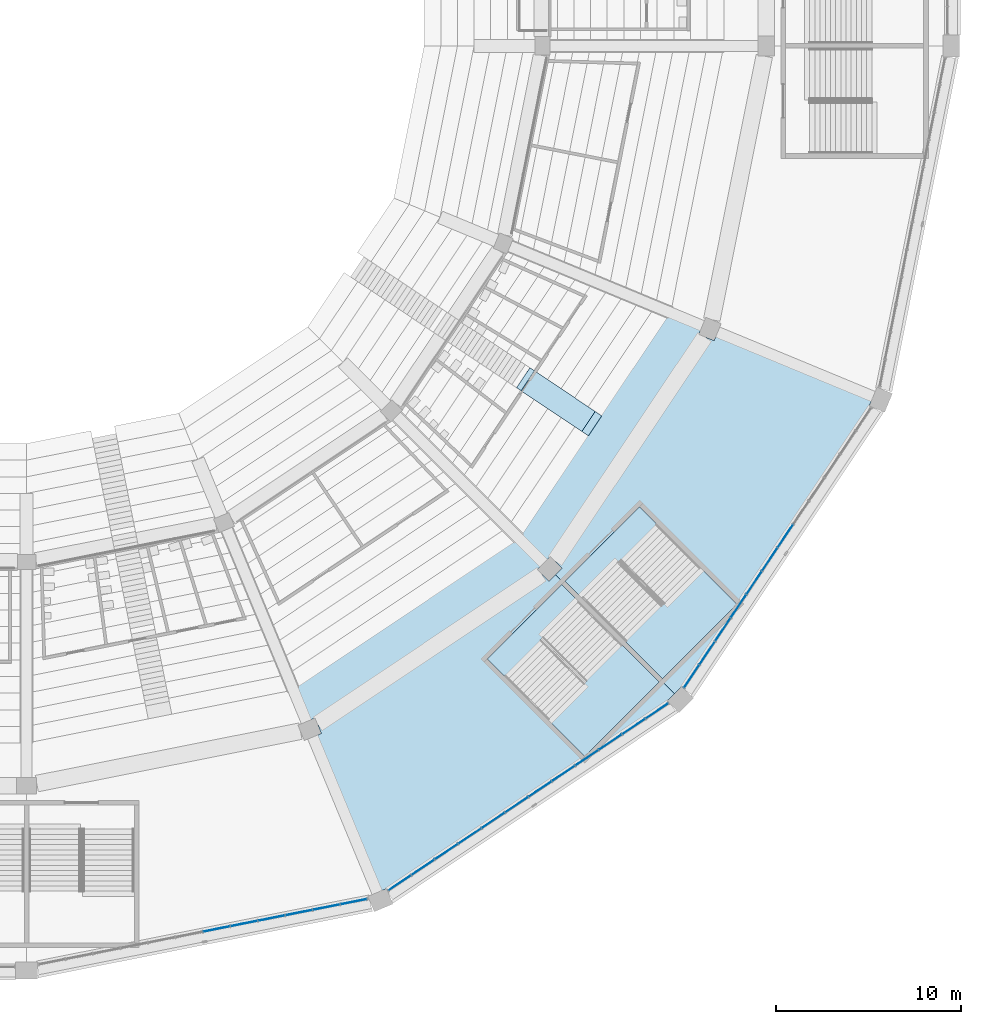
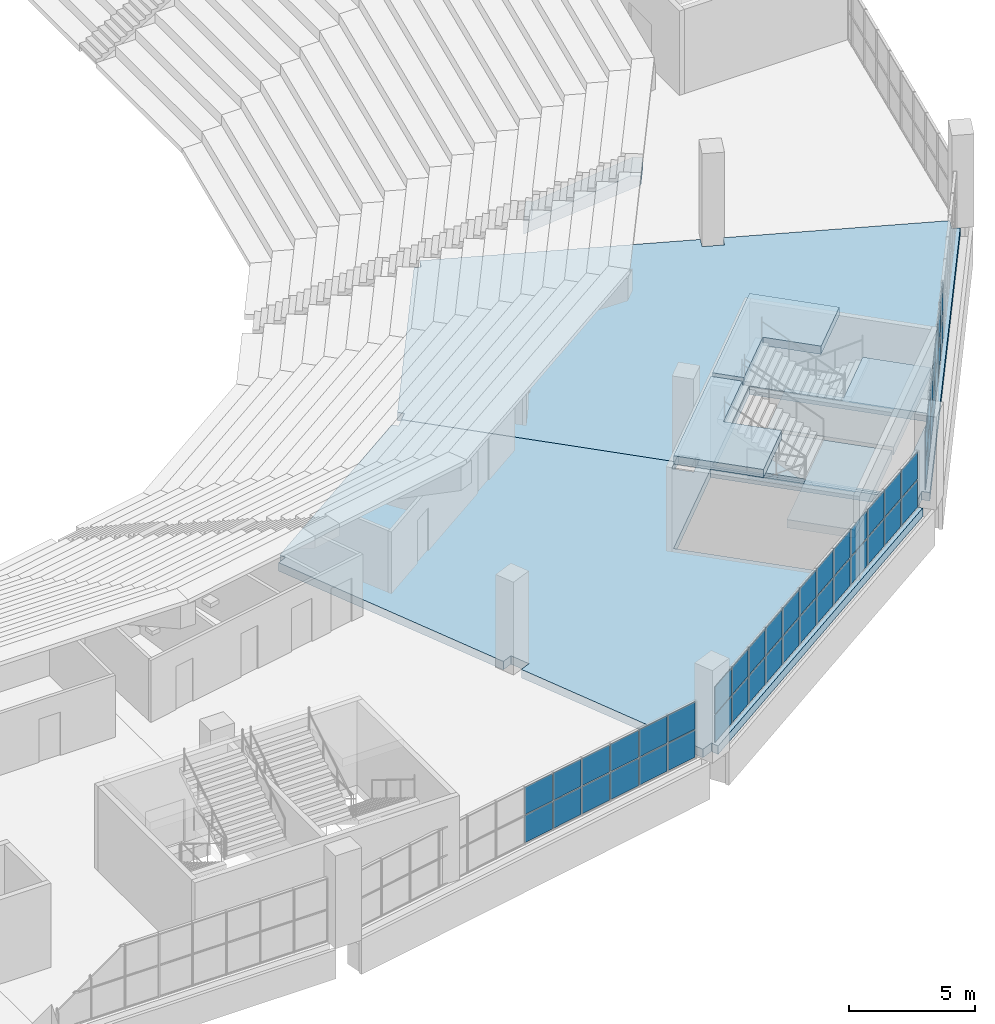
# One storey, part 70 of 249: 50 plates, 7 slabs, 5 elements without a shape of their own.
"""IFC4 building model written with IfcOpenShell, lengths in metres."""

import ifcopenshell
import ifcopenshell.guid

model = None  # the IFC model being written
_history = None  # IfcOwnerHistory: only IFC2X3 demands one
_inside = {}  # id of a spatial element -> (the spatial element, [elements in it])
_under = {}  # id of a project, library or spatial element -> (it, [spatial elements below it])
_declared = {}  # id of a project -> (the project, [libraries it declares])
_typed = {}  # id of a type object -> (the type object, [elements of that type])
_made_of = {}  # id of a material, layer set ... -> (it, [elements and type objects made of it])


def new_model(schema):
    """Start an empty IFC model of exactly this schema.

    Asked for "IFC4X3", IfcOpenShell would pick the latest addendum, in which some entities
    have other attributes; the version numbers below select the first issue.
    IFC2X3 requires an IfcOwnerHistory on every rooted entity: one is made here for all.
    """
    global model, _history
    if schema == "IFC4X3":
        model = ifcopenshell.file(schema_version=(4, 3, 0, 0))
    else:
        model = ifcopenshell.file(schema=schema)
    _inside.clear()
    _under.clear()
    _declared.clear()
    _typed.clear()
    _made_of.clear()
    _history = None
    if model.schema == "IFC2X3":
        org = make("IfcOrganization", Name="unknown")
        user = make(
            "IfcPersonAndOrganization",
            ThePerson=make("IfcPerson", FamilyName="unknown"),
            TheOrganization=org,
        )
        app = make(
            "IfcApplication",
            ApplicationDeveloper=org,
            Version="unknown",
            ApplicationFullName="unknown",
            ApplicationIdentifier="unknown",
        )
        _history = make(
            "IfcOwnerHistory",
            OwningUser=user,
            OwningApplication=app,
            ChangeAction="ADDED",
            CreationDate=0,
        )
    return model


def make(cls, **values):
    """One entity of the class cls with the attributes given. An attribute that is None is left unset."""
    return model.create_entity(
        cls, **{name: value for name, value in values.items() if value is not None}
    )


def rooted(cls, **values):
    """An entity with a GlobalId (a new one), such as an element, a storey or a relation."""
    return make(cls, GlobalId=ifcopenshell.guid.new(), OwnerHistory=_history, **values)


def si_unit(unit_type, name, prefix=None):
    """IfcSIUnit, for example si_unit("LENGTHUNIT", "METRE", prefix="MILLI")."""
    return make("IfcSIUnit", UnitType=unit_type, Prefix=prefix, Name=name)


def assignment(units):
    """IfcUnitAssignment: the units of a project."""
    return None if units is None else make("IfcUnitAssignment", Units=units)


def point(xyz):
    """IfcCartesianPoint."""
    return None if xyz is None else make("IfcCartesianPoint", Coordinates=xyz)


def direction(xyz):
    """IfcDirection."""
    return None if xyz is None else make("IfcDirection", DirectionRatios=xyz)


def frame(location, z_axis=None, x_axis=None):
    """IfcAxis2Placement3D, a coordinate frame: its origin and axes. An axis left out is left unset."""
    return make(
        "IfcAxis2Placement3D",
        Location=point(location),
        Axis=direction(z_axis),
        RefDirection=direction(x_axis),
    )


def frame_2d(location, x_axis=None):
    """IfcAxis2Placement2D, a coordinate frame in the plane: its origin and x axis."""
    return make(
        "IfcAxis2Placement2D", Location=point(location), RefDirection=direction(x_axis)
    )


def origin():
    """The frame at (0, 0, 0) with its axes left unset."""
    return frame((0.0, 0.0, 0.0))


def origin_2d():
    """The frame at (0, 0) in the plane with its x axis left unset."""
    return frame_2d((0.0, 0.0))


def place(relative_to, where):
    """IfcLocalPlacement: puts the frame where relative to a parent placement (None: the world)."""
    return make(
        "IfcLocalPlacement", PlacementRelTo=relative_to, RelativePlacement=where
    )


def context(
    kind, dimensions, precision=None, world=None, true_north=None, identifier=None
):
    """IfcGeometricRepresentationContext, for example the 3D "Model" context."""
    return make(
        "IfcGeometricRepresentationContext",
        ContextIdentifier=identifier,
        ContextType=kind,
        CoordinateSpaceDimension=dimensions,
        Precision=precision,
        WorldCoordinateSystem=world,
        TrueNorth=true_north,
    )


def subcontext(parent, identifier, kind, view, scale=None):
    """IfcGeometricRepresentationSubContext, for example "Body" below "Model"."""
    return make(
        "IfcGeometricRepresentationSubContext",
        ContextIdentifier=identifier,
        ContextType=kind,
        ParentContext=parent,
        TargetScale=scale,
        TargetView=view,
    )


def project(units=None, contexts=None):
    """IfcProject with its units and contexts."""
    return rooted(
        "IfcProject",
        Name="project",
        RepresentationContexts=contexts,
        UnitsInContext=assignment(units),
    )


def spatial(cls, under=None, at=None, **own):
    """A site, building, storey or space (cls), placed at a placement, below another one or the project."""
    s = rooted(cls, ObjectPlacement=at, **own)
    if under is not None:
        _under.setdefault(under.id(), (under, []))[1].append(s)
    return s


def polyline(points):
    """IfcPolyline through the points."""
    return make("IfcPolyline", Points=[point(p) for p in points])


def profile(cls, at=None, kind="AREA", **sizes):
    """A parametric profile (cls). Its sizes go by their IFC names, for example OverallWidth=200.0."""
    return make(cls, ProfileType=kind, Position=at, **sizes)


def rectangle(**sizes):
    """IfcRectangleProfileDef."""
    return profile("IfcRectangleProfileDef", **sizes)


def outline(outer, holes=None, kind="AREA"):
    """IfcArbitraryClosedProfileDef: a profile drawn as a closed curve; with holes, ...WithVoids."""
    if holes is None:
        return make("IfcArbitraryClosedProfileDef", ProfileType=kind, OuterCurve=outer)
    return make(
        "IfcArbitraryProfileDefWithVoids",
        ProfileType=kind,
        OuterCurve=outer,
        InnerCurves=holes,
    )


def extrude(swept, where, along, depth):
    """IfcExtrudedAreaSolid: the profile swept, set in the frame where, extruded along a direction by depth."""
    return make(
        "IfcExtrudedAreaSolid",
        SweptArea=swept,
        Position=where,
        ExtrudedDirection=direction(along),
        Depth=depth,
    )


def shape(context_of_items, identifier, shape_type, items):
    """IfcShapeRepresentation: the items that make up one representation, for example the "Body"."""
    return make(
        "IfcShapeRepresentation",
        ContextOfItems=context_of_items,
        RepresentationIdentifier=identifier,
        RepresentationType=shape_type,
        Items=items,
    )


def material(Name=None, Category=None):
    """IfcMaterial."""
    return make("IfcMaterial", Name=Name, Category=Category)


def layer(
    of_material, thickness, ventilated=None, Name=None, Category=None, Priority=None
):
    """IfcMaterialLayer: one layer of a wall or slab, of a material (None: an air gap)."""
    return make(
        "IfcMaterialLayer",
        Material=of_material,
        LayerThickness=thickness,
        IsVentilated=ventilated,
        Name=Name,
        Category=Category,
        Priority=Priority,
    )


def layer_set(layers, Name=None):
    """IfcMaterialLayerSet."""
    return make("IfcMaterialLayerSet", MaterialLayers=layers, LayerSetName=Name)


def made_of(thing, what):
    """Note that an element or type object is made of a material, layer set ...; save() writes the relation."""
    if what is not None:
        _made_of.setdefault(what.id(), (what, []))[1].append(thing)
    return thing


def type_object(cls, material=None, **own):
    """A type object (cls), such as IfcWallType, which elements share."""
    return made_of(rooted(cls, **own), material)


def element(
    cls,
    number,
    at=None,
    inside=None,
    cuts=None,
    type_object=None,
    material=None,
    context=None,
    identifier="Body",
    shape_type=None,
    held_by="IfcProductDefinitionShape",
    body=None,
    shapes=None,
    **own,
):
    """One element of the class cls, such as IfcWall. Its Tag is "e" and its number.

    at: its placement. inside: the storey or other place that contains it. cuts: it is an
    opening in that element (IfcRelVoidsElement). A single representation is given by context,
    identifier, shape_type and body (its items); several are given by shapes. held_by: the class
    of the entity that holds the representations. save() writes the other relations.
    """
    e = rooted(cls, Tag="e%d" % number, ObjectPlacement=at, **own)
    if body is not None:
        shapes = [shape(context, identifier, shape_type, body)]
    if shapes is not None:
        e.Representation = make(held_by, Representations=shapes)
    if inside is not None:
        _inside.setdefault(inside.id(), (inside, []))[1].append(e)
    if cuts is not None:
        rooted(
            "IfcRelVoidsElement", RelatingBuildingElement=cuts, RelatedOpeningElement=e
        )
    if type_object is not None:
        _typed.setdefault(type_object.id(), (type_object, []))[1].append(e)
    return made_of(e, material)


def aggregate(whole, parts):
    """IfcRelAggregates: a whole, such as a stair, and the parts it consists of."""
    return rooted("IfcRelAggregates", RelatingObject=whole, RelatedObjects=parts)


def save(model, path):
    """Write the relations noted so far, then the file.

    IfcRelAggregates (storeys below a building ...), IfcRelContainedInSpatialStructure (elements
    in a storey), IfcRelDefinesByType, IfcRelAssociatesMaterial and IfcRelDeclares: one each for
    every whole, place, type object, material and project.
    """
    for whole, parts in _under.values():
        aggregate(whole, parts)
    for where, things in _inside.values():
        rooted(
            "IfcRelContainedInSpatialStructure",
            RelatedElements=things,
            RelatingStructure=where,
        )
    for kind, things in _typed.values():
        rooted("IfcRelDefinesByType", RelatedObjects=things, RelatingType=kind)
    for what, things in _made_of.values():
        rooted("IfcRelAssociatesMaterial", RelatedObjects=things, RelatingMaterial=what)
    for by, libraries in _declared.values():
        rooted("IfcRelDeclares", RelatingContext=by, RelatedDefinitions=libraries)
    model.write(path)


model = new_model("IFC4")

# Units and contexts
model_context = context("Model", 3, precision=1e-05, world=origin(), true_north=direction((0.0, 1.0)))
body_context = subcontext(model_context, "Body", "Model", "MODEL_VIEW")
ifc_project = project(units=[si_unit("LENGTHUNIT", "METRE"), si_unit("AREAUNIT", "SQUARE_METRE"), si_unit("VOLUMEUNIT", "CUBIC_METRE"), si_unit("PLANEANGLEUNIT", "RADIAN"), si_unit("MASSUNIT", "GRAM", prefix="KILO")], contexts=[model_context])

# Site, building, storey
site_placement = place(None, origin())
site = spatial("IfcSite", under=ifc_project, at=site_placement, CompositionType="ELEMENT")
building_placement = place(site_placement, origin())
building = spatial("IfcBuilding", under=site, at=building_placement, Name="Ogive Plaza Stadium", CompositionType="ELEMENT")
storey_placement = place(building_placement, frame((0.0, 0.0, 13.5)))
storey = spatial("IfcBuildingStorey", under=building, at=storey_placement, Name="L03", CompositionType="ELEMENT", Elevation=13.5)

# Slab
ifc_material_1 = material(Name="Concrete C40/50", Category="concrete")
ifc_layer_1 = layer(ifc_material_1, 0.81640625)
ifc_layer_set_1 = layer_set([ifc_layer_1], Name="Concrete C40/50")
ifc_layer_2 = layer(ifc_material_1, 0.449951171875)
ifc_layer_set_2 = layer_set([ifc_layer_2], Name="Concrete C40/50")
slab_type_1 = type_object("IfcSlabType", Name="Aisle stair slab 1300", PredefinedType="USERDEFINED", material=ifc_layer_set_2)
slab_1_placement = place(storey_placement, frame((60.8564453125, -70.44482421875, -13.5), z_axis=(0.0, 0.0, 1.0), x_axis=(0.831469612303, -0.55557023302, 0.0)))
element("IfcSlab", 1, at=slab_1_placement, inside=storey, type_object=slab_type_1, material=ifc_layer_set_1, Name="Aisle stair SA09U slab 3", ObjectType="AISLE STAIR SLAB", PredefinedType="USERDEFINED", context=body_context, shape_type="SweptSolid", body=[
    extrude(outline(polyline([(0.0, 20.0), (0.2958984375, 20.0), (4.25, 22.325927734375), (4.675537109375, 22.325927734375), (4.675537109375, 21.897705078125), (4.64990234375, 21.88330078125), (4.5, 21.800048828125), (4.35009765625, 21.716796875), (4.199951171875, 21.63330078125), (4.050048828125, 21.550048828125), (3.89990234375, 21.466796875), (3.75, 21.38330078125), (3.60009765625, 21.300048828125), (3.449951171875, 21.216796875), (3.300048828125, 21.13330078125), (3.14990234375, 21.050048828125), (3.0, 20.966796875), (2.85009765625, 20.88330078125), (2.699951171875, 20.800048828125), (2.550048828125, 20.716796875), (2.39990234375, 20.63330078125), (2.25, 20.550048828125), (2.10009765625, 20.466796875), (1.949951171875, 20.38330078125), (1.800048828125, 20.300048828125), (1.64990234375, 20.216796875), (1.5, 20.13330078125), (1.35009765625, 20.050048828125), (1.199951171875, 19.966796875), (1.050048828125, 19.88330078125), (0.89990234375, 19.800048828125), (0.75, 19.716796875), (0.60009765625, 19.63330078125), (0.449951171875, 19.550048828125), (0.300048828125, 19.466796875), (0.14990234375, 19.38330078125), (0.0, 19.300048828125), (0.0, 20.0)])), frame((0.0, 0.64990234375, 0.0), z_axis=(0.0, -1.0, 0.0), x_axis=(1.0, 0.0, 0.0)), (0.0, 0.0, 1.0), 1.300048828125),
])

# Curtain wall, plates
ifc_material_2 = material(Name="Bronze-anodised aluminium with laminated glass", Category="aluminium")
curtain_wall_type = type_object("IfcCurtainWallType", Name="Lancet curtain wall", PredefinedType="NOTDEFINED", material=ifc_material_2)
curtain_wall_1_placement = place(storey_placement, origin())
curtain_wall_1 = element("IfcCurtainWall", 2, at=curtain_wall_1_placement, inside=storey, type_object=curtain_wall_type, Name="CURTAIN WALL B09 L03", PredefinedType="NOTDEFINED")
ifc_material_3 = material(Name="Laminated glass", Category="glass")
ifc_layer_3 = layer(ifc_material_3, 0.028076171875)
ifc_layer_set_3 = layer_set([ifc_layer_3], Name="Laminated glass panel 28")
plate_type = type_object("IfcPlateType", Name="Laminated glass panel 28", PredefinedType="CURTAIN_PANEL", material=ifc_layer_set_3)
plate_1_placement = place(storey_placement, frame((75.03125, -79.000732421875, 0.0498046875), z_axis=(0.0, 0.0, 1.0), x_axis=(-0.55557023302, -0.831469612303, 0.0)))
plate_1 = element("IfcPlate", 3, at=plate_1_placement, type_object=plate_type, Name="CW-B09-L03 panel 6.1", PredefinedType="CURTAIN_PANEL", context=body_context, shape_type="SweptSolid", body=[
    extrude(rectangle(XDim=1.472412109375, YDim=0.028076171875, at=origin_2d()), origin(), (0.0, 0.0, 1.0), 1.320068359375),
])
plate_2_placement = place(storey_placement, frame((75.03125, -79.000732421875, 1.419921875), z_axis=(0.0, 0.0, 1.0), x_axis=(-0.55557023302, -0.831469612303, 0.0)))
plate_2 = element("IfcPlate", 4, at=plate_2_placement, type_object=plate_type, Name="CW-B09-L03 panel 6.2", PredefinedType="CURTAIN_PANEL", context=body_context, shape_type="SweptSolid", body=[
    extrude(rectangle(XDim=1.472412109375, YDim=0.028076171875, at=origin_2d()), origin(), (0.0, 0.0, 1.0), 1.320068359375),
])
plate_3_placement = place(storey_placement, frame((74.185546875, -80.2666015625, 0.0498046875), z_axis=(0.0, 0.0, 1.0), x_axis=(-0.55557023302, -0.831469612303, 0.0)))
plate_3 = element("IfcPlate", 5, at=plate_3_placement, type_object=plate_type, Name="CW-B09-L03 panel 7.1", PredefinedType="CURTAIN_PANEL", context=body_context, shape_type="SweptSolid", body=[
    extrude(rectangle(XDim=1.472412109375, YDim=0.028076171875, at=origin_2d()), origin(), (0.0, 0.0, 1.0), 1.320068359375),
])
plate_4_placement = place(storey_placement, frame((74.185546875, -80.2666015625, 1.419921875), z_axis=(0.0, 0.0, 1.0), x_axis=(-0.55557023302, -0.831469612303, 0.0)))
plate_4 = element("IfcPlate", 6, at=plate_4_placement, type_object=plate_type, Name="CW-B09-L03 panel 7.2", PredefinedType="CURTAIN_PANEL", context=body_context, shape_type="SweptSolid", body=[
    extrude(rectangle(XDim=1.472412109375, YDim=0.028076171875, at=origin_2d()), origin(), (0.0, 0.0, 1.0), 1.320068359375),
])
plate_5_placement = place(storey_placement, frame((73.339599609375, -81.5322265625, 0.0498046875), z_axis=(0.0, 0.0, 1.0), x_axis=(-0.55557023302, -0.831469612303, 0.0)))
plate_5 = element("IfcPlate", 7, at=plate_5_placement, type_object=plate_type, Name="CW-B09-L03 panel 8.1", PredefinedType="CURTAIN_PANEL", context=body_context, shape_type="SweptSolid", body=[
    extrude(rectangle(XDim=1.472412109375, YDim=0.028076171875, at=origin_2d()), origin(), (0.0, 0.0, 1.0), 1.320068359375),
])
plate_6_placement = place(storey_placement, frame((73.339599609375, -81.5322265625, 1.419921875), z_axis=(0.0, 0.0, 1.0), x_axis=(-0.55557023302, -0.831469612303, 0.0)))
plate_6 = element("IfcPlate", 8, at=plate_6_placement, type_object=plate_type, Name="CW-B09-L03 panel 8.2", PredefinedType="CURTAIN_PANEL", context=body_context, shape_type="SweptSolid", body=[
    extrude(rectangle(XDim=1.472412109375, YDim=0.028076171875, at=origin_2d()), origin(), (0.0, 0.0, 1.0), 1.320068359375),
])
plate_7_placement = place(storey_placement, frame((72.493896484375, -82.798095703125, 0.0498046875), z_axis=(0.0, 0.0, 1.0), x_axis=(-0.55557023302, -0.831469612303, 0.0)))
plate_7 = element("IfcPlate", 9, at=plate_7_placement, type_object=plate_type, Name="CW-B09-L03 panel 9.1", PredefinedType="CURTAIN_PANEL", context=body_context, shape_type="SweptSolid", body=[
    extrude(rectangle(XDim=1.472412109375, YDim=0.028076171875, at=origin_2d()), origin(), (0.0, 0.0, 1.0), 1.320068359375),
])
plate_8_placement = place(storey_placement, frame((72.493896484375, -82.798095703125, 1.419921875), z_axis=(0.0, 0.0, 1.0), x_axis=(-0.55557023302, -0.831469612303, 0.0)))
plate_8 = element("IfcPlate", 10, at=plate_8_placement, type_object=plate_type, Name="CW-B09-L03 panel 9.2", PredefinedType="CURTAIN_PANEL", context=body_context, shape_type="SweptSolid", body=[
    extrude(rectangle(XDim=1.472412109375, YDim=0.028076171875, at=origin_2d()), origin(), (0.0, 0.0, 1.0), 1.320068359375),
])
plate_9_placement = place(storey_placement, frame((71.648193359375, -84.06396484375, 0.0498046875), z_axis=(0.0, 0.0, 1.0), x_axis=(-0.55557023302, -0.831469612303, 0.0)))
plate_9 = element("IfcPlate", 11, at=plate_9_placement, type_object=plate_type, Name="CW-B09-L03 panel 10.1", PredefinedType="CURTAIN_PANEL", context=body_context, shape_type="SweptSolid", body=[
    extrude(rectangle(XDim=1.472412109375, YDim=0.028076171875, at=origin_2d()), origin(), (0.0, 0.0, 1.0), 1.320068359375),
])
plate_10_placement = place(storey_placement, frame((71.648193359375, -84.06396484375, 1.419921875), z_axis=(0.0, 0.0, 1.0), x_axis=(-0.55557023302, -0.831469612303, 0.0)))
plate_10 = element("IfcPlate", 12, at=plate_10_placement, type_object=plate_type, Name="CW-B09-L03 panel 10.2", PredefinedType="CURTAIN_PANEL", context=body_context, shape_type="SweptSolid", body=[
    extrude(rectangle(XDim=1.472412109375, YDim=0.028076171875, at=origin_2d()), origin(), (0.0, 0.0, 1.0), 1.320068359375),
])
plate_11_placement = place(storey_placement, frame((70.802490234375, -85.32958984375, 0.0498046875), z_axis=(0.0, 0.0, 1.0), x_axis=(-0.55557023302, -0.831469612303, 0.0)))
plate_11 = element("IfcPlate", 13, at=plate_11_placement, type_object=plate_type, Name="CW-B09-L03 panel 11.1", PredefinedType="CURTAIN_PANEL", context=body_context, shape_type="SweptSolid", body=[
    extrude(rectangle(XDim=1.472412109375, YDim=0.028076171875, at=origin_2d()), origin(), (0.0, 0.0, 1.0), 1.320068359375),
])
plate_12_placement = place(storey_placement, frame((70.802490234375, -85.32958984375, 1.419921875), z_axis=(0.0, 0.0, 1.0), x_axis=(-0.55557023302, -0.831469612303, 0.0)))
plate_12 = element("IfcPlate", 14, at=plate_12_placement, type_object=plate_type, Name="CW-B09-L03 panel 11.2", PredefinedType="CURTAIN_PANEL", context=body_context, shape_type="SweptSolid", body=[
    extrude(rectangle(XDim=1.472412109375, YDim=0.028076171875, at=origin_2d()), origin(), (0.0, 0.0, 1.0), 1.320068359375),
])
plate_13_placement = place(storey_placement, frame((69.963623046875, -86.5849609375, 0.0498046875), z_axis=(0.0, 0.0, 1.0), x_axis=(-0.55557023302, -0.831469612303, 0.0)))
plate_13 = element("IfcPlate", 15, at=plate_13_placement, type_object=plate_type, Name="CW-B09-L03 panel 12.1", PredefinedType="CURTAIN_PANEL", context=body_context, shape_type="SweptSolid", body=[
    extrude(rectangle(XDim=1.447265625, YDim=0.028076171875, at=origin_2d()), origin(), (0.0, 0.0, 1.0), 1.320068359375),
])
plate_14_placement = place(storey_placement, frame((69.963623046875, -86.5849609375, 1.419921875), z_axis=(0.0, 0.0, 1.0), x_axis=(-0.55557023302, -0.831469612303, 0.0)))
plate_14 = element("IfcPlate", 16, at=plate_14_placement, type_object=plate_type, Name="CW-B09-L03 panel 12.2", PredefinedType="CURTAIN_PANEL", context=body_context, shape_type="SweptSolid", body=[
    extrude(rectangle(XDim=1.447265625, YDim=0.028076171875, at=origin_2d()), origin(), (0.0, 0.0, 1.0), 1.320068359375),
])
aggregate(curtain_wall_1, [plate_1, plate_2, plate_3, plate_4, plate_5, plate_6, plate_7, plate_8, plate_9, plate_10, plate_11, plate_12, plate_13, plate_14])

curtain_wall_2_placement = place(storey_placement, origin())
curtain_wall_2 = element("IfcCurtainWall", 17, at=curtain_wall_2_placement, inside=storey, type_object=curtain_wall_type, Name="CURTAIN WALL B10 L03", PredefinedType="NOTDEFINED")
plate_15_placement = place(storey_placement, frame((68.0849609375, -88.463623046875, 0.0498046875), z_axis=(0.0, 0.0, 1.0), x_axis=(-0.831469612303, -0.55557023302, 0.0)))
plate_15 = element("IfcPlate", 18, at=plate_15_placement, type_object=plate_type, Name="CW-B10-L03 panel 1.1", PredefinedType="CURTAIN_PANEL", context=body_context, shape_type="SweptSolid", body=[
    extrude(rectangle(XDim=1.447265625, YDim=0.028076171875, at=origin_2d()), origin(), (0.0, 0.0, 1.0), 1.320068359375),
])
plate_16_placement = place(storey_placement, frame((68.0849609375, -88.463623046875, 1.419921875), z_axis=(0.0, 0.0, 1.0), x_axis=(-0.831469612303, -0.55557023302, 0.0)))
plate_16 = element("IfcPlate", 19, at=plate_16_placement, type_object=plate_type, Name="CW-B10-L03 panel 1.2", PredefinedType="CURTAIN_PANEL", context=body_context, shape_type="SweptSolid", body=[
    extrude(rectangle(XDim=1.447265625, YDim=0.028076171875, at=origin_2d()), origin(), (0.0, 0.0, 1.0), 1.320068359375),
])
plate_17_placement = place(storey_placement, frame((66.82958984375, -89.302490234375, 0.0498046875), z_axis=(0.0, 0.0, 1.0), x_axis=(-0.831469612303, -0.55557023302, 0.0)))
plate_17 = element("IfcPlate", 20, at=plate_17_placement, type_object=plate_type, Name="CW-B10-L03 panel 2.1", PredefinedType="CURTAIN_PANEL", context=body_context, shape_type="SweptSolid", body=[
    extrude(rectangle(XDim=1.472412109375, YDim=0.028076171875, at=origin_2d()), origin(), (0.0, 0.0, 1.0), 1.320068359375),
])
plate_18_placement = place(storey_placement, frame((66.82958984375, -89.302490234375, 1.419921875), z_axis=(0.0, 0.0, 1.0), x_axis=(-0.831469612303, -0.55557023302, 0.0)))
plate_18 = element("IfcPlate", 21, at=plate_18_placement, type_object=plate_type, Name="CW-B10-L03 panel 2.2", PredefinedType="CURTAIN_PANEL", context=body_context, shape_type="SweptSolid", body=[
    extrude(rectangle(XDim=1.472412109375, YDim=0.028076171875, at=origin_2d()), origin(), (0.0, 0.0, 1.0), 1.320068359375),
])
plate_19_placement = place(storey_placement, frame((65.56396484375, -90.148193359375, 0.0498046875), z_axis=(0.0, 0.0, 1.0), x_axis=(-0.831469612303, -0.55557023302, 0.0)))
plate_19 = element("IfcPlate", 22, at=plate_19_placement, type_object=plate_type, Name="CW-B10-L03 panel 3.1", PredefinedType="CURTAIN_PANEL", context=body_context, shape_type="SweptSolid", body=[
    extrude(rectangle(XDim=1.472412109375, YDim=0.028076171875, at=origin_2d()), origin(), (0.0, 0.0, 1.0), 1.320068359375),
])
plate_20_placement = place(storey_placement, frame((65.56396484375, -90.148193359375, 1.419921875), z_axis=(0.0, 0.0, 1.0), x_axis=(-0.831469612303, -0.55557023302, 0.0)))
plate_20 = element("IfcPlate", 23, at=plate_20_placement, type_object=plate_type, Name="CW-B10-L03 panel 3.2", PredefinedType="CURTAIN_PANEL", context=body_context, shape_type="SweptSolid", body=[
    extrude(rectangle(XDim=1.472412109375, YDim=0.028076171875, at=origin_2d()), origin(), (0.0, 0.0, 1.0), 1.320068359375),
])
plate_21_placement = place(storey_placement, frame((64.298095703125, -90.993896484375, 0.0498046875), z_axis=(0.0, 0.0, 1.0), x_axis=(-0.831469612303, -0.55557023302, 0.0)))
plate_21 = element("IfcPlate", 24, at=plate_21_placement, type_object=plate_type, Name="CW-B10-L03 panel 4.1", PredefinedType="CURTAIN_PANEL", context=body_context, shape_type="SweptSolid", body=[
    extrude(rectangle(XDim=1.472412109375, YDim=0.028076171875, at=origin_2d()), origin(), (0.0, 0.0, 1.0), 1.320068359375),
])
plate_22_placement = place(storey_placement, frame((64.298095703125, -90.993896484375, 1.419921875), z_axis=(0.0, 0.0, 1.0), x_axis=(-0.831469612303, -0.55557023302, 0.0)))
plate_22 = element("IfcPlate", 25, at=plate_22_placement, type_object=plate_type, Name="CW-B10-L03 panel 4.2", PredefinedType="CURTAIN_PANEL", context=body_context, shape_type="SweptSolid", body=[
    extrude(rectangle(XDim=1.472412109375, YDim=0.028076171875, at=origin_2d()), origin(), (0.0, 0.0, 1.0), 1.320068359375),
])
plate_23_placement = place(storey_placement, frame((63.0322265625, -91.839599609375, 0.0498046875), z_axis=(0.0, 0.0, 1.0), x_axis=(-0.831469612303, -0.55557023302, 0.0)))
plate_23 = element("IfcPlate", 26, at=plate_23_placement, type_object=plate_type, Name="CW-B10-L03 panel 5.1", PredefinedType="CURTAIN_PANEL", context=body_context, shape_type="SweptSolid", body=[
    extrude(rectangle(XDim=1.472412109375, YDim=0.028076171875, at=origin_2d()), origin(), (0.0, 0.0, 1.0), 1.320068359375),
])
plate_24_placement = place(storey_placement, frame((63.0322265625, -91.839599609375, 1.419921875), z_axis=(0.0, 0.0, 1.0), x_axis=(-0.831469612303, -0.55557023302, 0.0)))
plate_24 = element("IfcPlate", 27, at=plate_24_placement, type_object=plate_type, Name="CW-B10-L03 panel 5.2", PredefinedType="CURTAIN_PANEL", context=body_context, shape_type="SweptSolid", body=[
    extrude(rectangle(XDim=1.472412109375, YDim=0.028076171875, at=origin_2d()), origin(), (0.0, 0.0, 1.0), 1.320068359375),
])
plate_25_placement = place(storey_placement, frame((61.7666015625, -92.685546875, 0.0498046875), z_axis=(0.0, 0.0, 1.0), x_axis=(-0.831469612303, -0.55557023302, 0.0)))
plate_25 = element("IfcPlate", 28, at=plate_25_placement, type_object=plate_type, Name="CW-B10-L03 panel 6.1", PredefinedType="CURTAIN_PANEL", context=body_context, shape_type="SweptSolid", body=[
    extrude(rectangle(XDim=1.472412109375, YDim=0.028076171875, at=origin_2d()), origin(), (0.0, 0.0, 1.0), 1.320068359375),
])
plate_26_placement = place(storey_placement, frame((61.7666015625, -92.685546875, 1.419921875), z_axis=(0.0, 0.0, 1.0), x_axis=(-0.831469612303, -0.55557023302, 0.0)))
plate_26 = element("IfcPlate", 29, at=plate_26_placement, type_object=plate_type, Name="CW-B10-L03 panel 6.2", PredefinedType="CURTAIN_PANEL", context=body_context, shape_type="SweptSolid", body=[
    extrude(rectangle(XDim=1.472412109375, YDim=0.028076171875, at=origin_2d()), origin(), (0.0, 0.0, 1.0), 1.320068359375),
])
plate_27_placement = place(storey_placement, frame((60.500732421875, -93.53125, 0.0498046875), z_axis=(0.0, 0.0, 1.0), x_axis=(-0.831469612303, -0.55557023302, 0.0)))
plate_27 = element("IfcPlate", 30, at=plate_27_placement, type_object=plate_type, Name="CW-B10-L03 panel 7.1", PredefinedType="CURTAIN_PANEL", context=body_context, shape_type="SweptSolid", body=[
    extrude(rectangle(XDim=1.472412109375, YDim=0.028076171875, at=origin_2d()), origin(), (0.0, 0.0, 1.0), 1.320068359375),
])
plate_28_placement = place(storey_placement, frame((60.500732421875, -93.53125, 1.419921875), z_axis=(0.0, 0.0, 1.0), x_axis=(-0.831469612303, -0.55557023302, 0.0)))
plate_28 = element("IfcPlate", 31, at=plate_28_placement, type_object=plate_type, Name="CW-B10-L03 panel 7.2", PredefinedType="CURTAIN_PANEL", context=body_context, shape_type="SweptSolid", body=[
    extrude(rectangle(XDim=1.472412109375, YDim=0.028076171875, at=origin_2d()), origin(), (0.0, 0.0, 1.0), 1.320068359375),
])
plate_29_placement = place(storey_placement, frame((59.23486328125, -94.376953125, 0.0498046875), z_axis=(0.0, 0.0, 1.0), x_axis=(-0.831469612303, -0.55557023302, 0.0)))
plate_29 = element("IfcPlate", 32, at=plate_29_placement, type_object=plate_type, Name="CW-B10-L03 panel 8.1", PredefinedType="CURTAIN_PANEL", context=body_context, shape_type="SweptSolid", body=[
    extrude(rectangle(XDim=1.472412109375, YDim=0.028076171875, at=origin_2d()), origin(), (0.0, 0.0, 1.0), 1.320068359375),
])
plate_30_placement = place(storey_placement, frame((59.23486328125, -94.376953125, 1.419921875), z_axis=(0.0, 0.0, 1.0), x_axis=(-0.831469612303, -0.55557023302, 0.0)))
plate_30 = element("IfcPlate", 33, at=plate_30_placement, type_object=plate_type, Name="CW-B10-L03 panel 8.2", PredefinedType="CURTAIN_PANEL", context=body_context, shape_type="SweptSolid", body=[
    extrude(rectangle(XDim=1.472412109375, YDim=0.028076171875, at=origin_2d()), origin(), (0.0, 0.0, 1.0), 1.320068359375),
])
plate_31_placement = place(storey_placement, frame((57.96923828125, -95.222900390625, 0.0498046875), z_axis=(0.0, 0.0, 1.0), x_axis=(-0.831469612303, -0.55557023302, 0.0)))
plate_31 = element("IfcPlate", 34, at=plate_31_placement, type_object=plate_type, Name="CW-B10-L03 panel 9.1", PredefinedType="CURTAIN_PANEL", context=body_context, shape_type="SweptSolid", body=[
    extrude(rectangle(XDim=1.472412109375, YDim=0.028076171875, at=origin_2d()), origin(), (0.0, 0.0, 1.0), 1.320068359375),
])
plate_32_placement = place(storey_placement, frame((57.96923828125, -95.222900390625, 1.419921875), z_axis=(0.0, 0.0, 1.0), x_axis=(-0.831469612303, -0.55557023302, 0.0)))
plate_32 = element("IfcPlate", 35, at=plate_32_placement, type_object=plate_type, Name="CW-B10-L03 panel 9.2", PredefinedType="CURTAIN_PANEL", context=body_context, shape_type="SweptSolid", body=[
    extrude(rectangle(XDim=1.472412109375, YDim=0.028076171875, at=origin_2d()), origin(), (0.0, 0.0, 1.0), 1.320068359375),
])
plate_33_placement = place(storey_placement, frame((56.703369140625, -96.068603515625, 0.0498046875), z_axis=(0.0, 0.0, 1.0), x_axis=(-0.831469612303, -0.55557023302, 0.0)))
plate_33 = element("IfcPlate", 36, at=plate_33_placement, type_object=plate_type, Name="CW-B10-L03 panel 10.1", PredefinedType="CURTAIN_PANEL", context=body_context, shape_type="SweptSolid", body=[
    extrude(rectangle(XDim=1.472412109375, YDim=0.028076171875, at=origin_2d()), origin(), (0.0, 0.0, 1.0), 1.320068359375),
])
plate_34_placement = place(storey_placement, frame((56.703369140625, -96.068603515625, 1.419921875), z_axis=(0.0, 0.0, 1.0), x_axis=(-0.831469612303, -0.55557023302, 0.0)))
plate_34 = element("IfcPlate", 37, at=plate_34_placement, type_object=plate_type, Name="CW-B10-L03 panel 10.2", PredefinedType="CURTAIN_PANEL", context=body_context, shape_type="SweptSolid", body=[
    extrude(rectangle(XDim=1.472412109375, YDim=0.028076171875, at=origin_2d()), origin(), (0.0, 0.0, 1.0), 1.320068359375),
])
plate_35_placement = place(storey_placement, frame((55.4375, -96.914306640625, 0.0498046875), z_axis=(0.0, 0.0, 1.0), x_axis=(-0.831469612303, -0.55557023302, 0.0)))
plate_35 = element("IfcPlate", 38, at=plate_35_placement, type_object=plate_type, Name="CW-B10-L03 panel 11.1", PredefinedType="CURTAIN_PANEL", context=body_context, shape_type="SweptSolid", body=[
    extrude(rectangle(XDim=1.472412109375, YDim=0.028076171875, at=origin_2d()), origin(), (0.0, 0.0, 1.0), 1.320068359375),
])
plate_36_placement = place(storey_placement, frame((55.4375, -96.914306640625, 1.419921875), z_axis=(0.0, 0.0, 1.0), x_axis=(-0.831469612303, -0.55557023302, 0.0)))
plate_36 = element("IfcPlate", 39, at=plate_36_placement, type_object=plate_type, Name="CW-B10-L03 panel 11.2", PredefinedType="CURTAIN_PANEL", context=body_context, shape_type="SweptSolid", body=[
    extrude(rectangle(XDim=1.472412109375, YDim=0.028076171875, at=origin_2d()), origin(), (0.0, 0.0, 1.0), 1.320068359375),
])
plate_37_placement = place(storey_placement, frame((54.18212890625, -97.753173828125, 0.0498046875), z_axis=(0.0, 0.0, 1.0), x_axis=(-0.831469612303, -0.55557023302, 0.0)))
plate_37 = element("IfcPlate", 40, at=plate_37_placement, type_object=plate_type, Name="CW-B10-L03 panel 12.1", PredefinedType="CURTAIN_PANEL", context=body_context, shape_type="SweptSolid", body=[
    extrude(rectangle(XDim=1.447265625, YDim=0.028076171875, at=origin_2d()), origin(), (0.0, 0.0, 1.0), 1.320068359375),
])
plate_38_placement = place(storey_placement, frame((54.18212890625, -97.753173828125, 1.419921875), z_axis=(0.0, 0.0, 1.0), x_axis=(-0.831469612303, -0.55557023302, 0.0)))
plate_38 = element("IfcPlate", 41, at=plate_38_placement, type_object=plate_type, Name="CW-B10-L03 panel 12.2", PredefinedType="CURTAIN_PANEL", context=body_context, shape_type="SweptSolid", body=[
    extrude(rectangle(XDim=1.447265625, YDim=0.028076171875, at=origin_2d()), origin(), (0.0, 0.0, 1.0), 1.320068359375),
])
aggregate(curtain_wall_2, [plate_15, plate_16, plate_17, plate_18, plate_19, plate_20, plate_21, plate_22, plate_23, plate_24, plate_25, plate_26, plate_27, plate_28, plate_29, plate_30, plate_31, plate_32, plate_33, plate_34, plate_35, plate_36, plate_37, plate_38])

curtain_wall_3_placement = place(storey_placement, origin())
curtain_wall_3 = element("IfcCurtainWall", 42, at=curtain_wall_3_placement, inside=storey, type_object=curtain_wall_type, Name="CURTAIN WALL B11 L03", PredefinedType="NOTDEFINED")
plate_39_placement = place(storey_placement, frame((51.681884765625, -98.77880859375, 0.0498046875), z_axis=(0.0, 0.0, 1.0), x_axis=(-0.980785280403, -0.195090322016, 0.0)))
plate_39 = element("IfcPlate", 43, at=plate_39_placement, type_object=plate_type, Name="CW-B11-L03 panel 1.1", PredefinedType="CURTAIN_PANEL", context=body_context, shape_type="SweptSolid", body=[
    extrude(rectangle(XDim=1.43896484375, YDim=0.028076171875, at=origin_2d()), origin(), (0.0, 0.0, 1.0), 1.320068359375),
])
plate_40_placement = place(storey_placement, frame((51.681884765625, -98.77880859375, 1.419921875), z_axis=(0.0, 0.0, 1.0), x_axis=(-0.980785280403, -0.195090322016, 0.0)))
plate_40 = element("IfcPlate", 44, at=plate_40_placement, type_object=plate_type, Name="CW-B11-L03 panel 1.2", PredefinedType="CURTAIN_PANEL", context=body_context, shape_type="SweptSolid", body=[
    extrude(rectangle(XDim=1.43896484375, YDim=0.028076171875, at=origin_2d()), origin(), (0.0, 0.0, 1.0), 1.320068359375),
])
plate_41_placement = place(storey_placement, frame((50.20947265625, -99.07177734375, 0.0498046875), z_axis=(0.0, 0.0, 1.0), x_axis=(-0.980785280403, -0.195090322016, 0.0)))
plate_41 = element("IfcPlate", 45, at=plate_41_placement, type_object=plate_type, Name="CW-B11-L03 panel 2.1", PredefinedType="CURTAIN_PANEL", context=body_context, shape_type="SweptSolid", body=[
    extrude(rectangle(XDim=1.4638671875, YDim=0.028076171875, at=origin_2d()), origin(), (0.0, 0.0, 1.0), 1.320068359375),
])
plate_42_placement = place(storey_placement, frame((50.20947265625, -99.07177734375, 1.419921875), z_axis=(0.0, 0.0, 1.0), x_axis=(-0.980785280403, -0.195090322016, 0.0)))
plate_42 = element("IfcPlate", 46, at=plate_42_placement, type_object=plate_type, Name="CW-B11-L03 panel 2.2", PredefinedType="CURTAIN_PANEL", context=body_context, shape_type="SweptSolid", body=[
    extrude(rectangle(XDim=1.4638671875, YDim=0.028076171875, at=origin_2d()), origin(), (0.0, 0.0, 1.0), 1.320068359375),
])
plate_43_placement = place(storey_placement, frame((48.724609375, -99.3671875, 0.0498046875), z_axis=(0.0, 0.0, 1.0), x_axis=(-0.980785280403, -0.195090322016, 0.0)))
plate_43 = element("IfcPlate", 47, at=plate_43_placement, type_object=plate_type, Name="CW-B11-L03 panel 3.1", PredefinedType="CURTAIN_PANEL", context=body_context, shape_type="SweptSolid", body=[
    extrude(rectangle(XDim=1.4638671875, YDim=0.028076171875, at=origin_2d()), origin(), (0.0, 0.0, 1.0), 1.320068359375),
])
plate_44_placement = place(storey_placement, frame((48.724609375, -99.3671875, 1.419921875), z_axis=(0.0, 0.0, 1.0), x_axis=(-0.980785280403, -0.195090322016, 0.0)))
plate_44 = element("IfcPlate", 48, at=plate_44_placement, type_object=plate_type, Name="CW-B11-L03 panel 3.2", PredefinedType="CURTAIN_PANEL", context=body_context, shape_type="SweptSolid", body=[
    extrude(rectangle(XDim=1.4638671875, YDim=0.028076171875, at=origin_2d()), origin(), (0.0, 0.0, 1.0), 1.320068359375),
])
plate_45_placement = place(storey_placement, frame((47.239990234375, -99.66259765625, 0.0498046875), z_axis=(0.0, 0.0, 1.0), x_axis=(-0.980785280403, -0.195090322016, 0.0)))
plate_45 = element("IfcPlate", 49, at=plate_45_placement, type_object=plate_type, Name="CW-B11-L03 panel 4.1", PredefinedType="CURTAIN_PANEL", context=body_context, shape_type="SweptSolid", body=[
    extrude(rectangle(XDim=1.4638671875, YDim=0.028076171875, at=origin_2d()), origin(), (0.0, 0.0, 1.0), 1.320068359375),
])
plate_46_placement = place(storey_placement, frame((47.239990234375, -99.66259765625, 1.419921875), z_axis=(0.0, 0.0, 1.0), x_axis=(-0.980785280403, -0.195090322016, 0.0)))
plate_46 = element("IfcPlate", 50, at=plate_46_placement, type_object=plate_type, Name="CW-B11-L03 panel 4.2", PredefinedType="CURTAIN_PANEL", context=body_context, shape_type="SweptSolid", body=[
    extrude(rectangle(XDim=1.4638671875, YDim=0.028076171875, at=origin_2d()), origin(), (0.0, 0.0, 1.0), 1.320068359375),
])
plate_47_placement = place(storey_placement, frame((45.755126953125, -99.957763671875, 0.0498046875), z_axis=(0.0, 0.0, 1.0), x_axis=(-0.980785280403, -0.195090322016, 0.0)))
plate_47 = element("IfcPlate", 51, at=plate_47_placement, type_object=plate_type, Name="CW-B11-L03 panel 5.1", PredefinedType="CURTAIN_PANEL", context=body_context, shape_type="SweptSolid", body=[
    extrude(rectangle(XDim=1.4638671875, YDim=0.028076171875, at=origin_2d()), origin(), (0.0, 0.0, 1.0), 1.320068359375),
])
plate_48_placement = place(storey_placement, frame((45.755126953125, -99.957763671875, 1.419921875), z_axis=(0.0, 0.0, 1.0), x_axis=(-0.980785280403, -0.195090322016, 0.0)))
plate_48 = element("IfcPlate", 52, at=plate_48_placement, type_object=plate_type, Name="CW-B11-L03 panel 5.2", PredefinedType="CURTAIN_PANEL", context=body_context, shape_type="SweptSolid", body=[
    extrude(rectangle(XDim=1.4638671875, YDim=0.028076171875, at=origin_2d()), origin(), (0.0, 0.0, 1.0), 1.320068359375),
])
plate_49_placement = place(storey_placement, frame((44.2705078125, -100.253173828125, 0.0498046875), z_axis=(0.0, 0.0, 1.0), x_axis=(-0.980785280403, -0.195090322016, 0.0)))
plate_49 = element("IfcPlate", 53, at=plate_49_placement, type_object=plate_type, Name="CW-B11-L03 panel 6.1", PredefinedType="CURTAIN_PANEL", context=body_context, shape_type="SweptSolid", body=[
    extrude(rectangle(XDim=1.4638671875, YDim=0.028076171875, at=origin_2d()), origin(), (0.0, 0.0, 1.0), 1.320068359375),
])
plate_50_placement = place(storey_placement, frame((44.2705078125, -100.253173828125, 1.419921875), z_axis=(0.0, 0.0, 1.0), x_axis=(-0.980785280403, -0.195090322016, 0.0)))
plate_50 = element("IfcPlate", 54, at=plate_50_placement, type_object=plate_type, Name="CW-B11-L03 panel 6.2", PredefinedType="CURTAIN_PANEL", context=body_context, shape_type="SweptSolid", body=[
    extrude(rectangle(XDim=1.4638671875, YDim=0.028076171875, at=origin_2d()), origin(), (0.0, 0.0, 1.0), 1.320068359375),
])
aggregate(curtain_wall_3, [plate_39, plate_40, plate_41, plate_42, plate_43, plate_44, plate_45, plate_46, plate_47, plate_48, plate_49, plate_50])

# Slabs
ifc_material_4 = material(Name="Concrete C40/50", Category="concrete")
ifc_layer_4 = layer(ifc_material_4, 0.409912109375)
ifc_layer_set_4 = layer_set([ifc_layer_4], Name="Concrete C40/50")
slab_type_2 = type_object("IfcSlabType", Name="RC floor slab 410", PredefinedType="FLOOR", material=ifc_layer_set_4)
slab_2_placement = place(storey_placement, frame((0.0, 0.0, -0.409912109375)))
element("IfcSlab", 55, at=slab_2_placement, inside=storey, type_object=slab_type_2, Name="Floor slab L03 B09", PredefinedType="FLOOR", context=body_context, shape_type="SweptSolid", body=[
    extrude(outline(polyline([(61.966064453125, -80.466064453125), (62.319580078125, -80.112548828125), (62.9560546875, -80.7490234375), (62.6025390625, -81.1025390625), (69.037109375, -87.537109375), (69.426025390625, -87.148193359375), (69.6669921875, -87.38916015625), (79.88232421875, -72.100341796875), (79.56787109375, -71.97021484375), (79.7783203125, -71.4619140625), (71.370849609375, -67.9794921875), (71.1796875, -68.44140625), (70.34814453125, -68.09716796875), (70.53955078125, -67.635009765625), (60.145751953125, -63.329833984375), (59.9736328125, -63.74560546875), (59.7060546875, -63.635009765625), (54.12451171875, -71.98828125), (54.329345703125, -72.19287109375), (54.01123046875, -72.51123046875), (61.966064453125, -80.466064453125)]), holes=[polyline([(67.145751953125, -77.40771484375), (63.115234375, -81.438232421875), (68.39013671875, -86.71337890625), (72.420654296875, -82.682861328125), (67.145751953125, -77.40771484375)])]), origin(), (0.0, 0.0, 1.0), 0.409912109375),
])
slab_3_placement = place(storey_placement, frame((0.0, 0.0, -0.409912109375)))
element("IfcSlab", 56, at=slab_3_placement, inside=storey, type_object=slab_type_2, Name="Floor slab L03 B10", PredefinedType="FLOOR", context=body_context, shape_type="SweptSolid", body=[
    extrude(outline(polyline([(49.135009765625, -89.03955078125), (49.59716796875, -88.84814453125), (49.94140625, -89.6796875), (49.4794921875, -89.870849609375), (52.9619140625, -98.2783203125), (53.47021484375, -98.06787109375), (53.600341796875, -98.38232421875), (68.88916015625, -88.1669921875), (68.648193359375, -87.926025390625), (69.037109375, -87.537109375), (62.6025390625, -81.1025390625), (62.2490234375, -81.4560546875), (61.612548828125, -80.819580078125), (61.966064453125, -80.466064453125), (54.01123046875, -72.51123046875), (53.69287109375, -72.829345703125), (53.48828125, -72.62451171875), (45.135009765625, -78.2060546875), (45.24560546875, -78.4736328125), (44.829833984375, -78.645751953125), (49.135009765625, -89.03955078125)]), holes=[polyline([(62.938232421875, -81.615234375), (58.90771484375, -85.645751953125), (64.182861328125, -90.920654296875), (68.21337890625, -86.89013671875), (62.938232421875, -81.615234375)])]), origin(), (0.0, 0.0, 1.0), 0.409912109375),
])

# Stair, slabs
ifc_material_5 = material(Name="Concrete C40/50", Category="concrete")
stair_type = type_object("IfcStairType", Name="Exit stair", PredefinedType="STRAIGHT_RUN_STAIR", material=ifc_material_5)
stair_1_placement = place(storey_placement, origin())
stair_1 = element("IfcStair", 57, at=stair_1_placement, inside=storey, type_object=stair_type, Name="Exit stair ST10A L03 to L04", PredefinedType="STRAIGHT_RUN_STAIR")
ifc_material_6 = material(Name="Concrete C40/50", Category="concrete")
ifc_layer_5 = layer(ifc_material_6, 0.39990234375)
ifc_layer_set_5 = layer_set([ifc_layer_5], Name="Concrete C40/50")
slab_type_3 = type_object("IfcSlabType", Name="Stair landing", PredefinedType="LANDING", material=ifc_layer_set_5)
slab_4_placement = place(storey_placement, frame((0.0, 0.0, 1.85009765625)))
slab_4 = element("IfcSlab", 58, at=slab_4_placement, type_object=slab_type_3, Name="ST10A landing 1", PredefinedType="LANDING", context=body_context, shape_type="SweptSolid", body=[
    extrude(outline(polyline([(68.21337890625, -86.89013671875), (64.182861328125, -90.920654296875), (62.202880859375, -88.940673828125), (64.253662109375, -86.89013671875), (62.556396484375, -85.193115234375), (64.536376953125, -83.213134765625), (66.2333984375, -84.91015625), (68.21337890625, -86.89013671875)])), origin(), (0.0, 0.0, 1.0), 0.39990234375),
])
slab_5_placement = place(storey_placement, frame((0.0, 0.0, 4.10009765625)))
slab_5 = element("IfcSlab", 59, at=slab_5_placement, type_object=slab_type_3, Name="ST10A landing 2", PredefinedType="LANDING", context=body_context, shape_type="SweptSolid", body=[
    extrude(outline(polyline([(63.504150390625, -86.281982421875), (61.524169921875, -88.261962890625), (59.8271484375, -86.56494140625), (58.90771484375, -85.645751953125), (62.938232421875, -81.615234375), (63.857666015625, -82.534423828125), (61.806884765625, -84.5849609375), (63.504150390625, -86.281982421875)])), origin(), (0.0, 0.0, 1.0), 0.39990234375),
])
aggregate(stair_1, [slab_4, slab_5])

stair_2_placement = place(storey_placement, origin())
stair_2 = element("IfcStair", 60, at=stair_2_placement, inside=storey, type_object=stair_type, Name="Exit stair ST10B L03 to L04", PredefinedType="STRAIGHT_RUN_STAIR")
slab_6_placement = place(storey_placement, frame((0.0, 0.0, 1.85009765625)))
slab_6 = element("IfcSlab", 61, at=slab_6_placement, type_object=slab_type_3, Name="ST10B landing 1", PredefinedType="LANDING", context=body_context, shape_type="SweptSolid", body=[
    extrude(outline(polyline([(64.713134765625, -83.036376953125), (66.693115234375, -81.056396484375), (68.39013671875, -82.753662109375), (70.440673828125, -80.702880859375), (72.420654296875, -82.682861328125), (68.39013671875, -86.71337890625), (66.41015625, -84.7333984375), (64.713134765625, -83.036376953125)])), origin(), (0.0, 0.0, 1.0), 0.39990234375),
])
slab_7_placement = place(storey_placement, frame((0.0, 0.0, 4.10009765625)))
slab_7 = element("IfcSlab", 62, at=slab_7_placement, type_object=slab_type_3, Name="ST10B landing 2", PredefinedType="LANDING", context=body_context, shape_type="SweptSolid", body=[
    extrude(outline(polyline([(64.034423828125, -82.357666015625), (63.115234375, -81.438232421875), (67.145751953125, -77.40771484375), (68.06494140625, -78.3271484375), (69.761962890625, -80.024169921875), (67.781982421875, -82.004150390625), (66.0849609375, -80.306884765625), (64.034423828125, -82.357666015625)])), origin(), (0.0, 0.0, 1.0), 0.39990234375),
])
aggregate(stair_2, [slab_6, slab_7])

save(model, "model.ifc")
